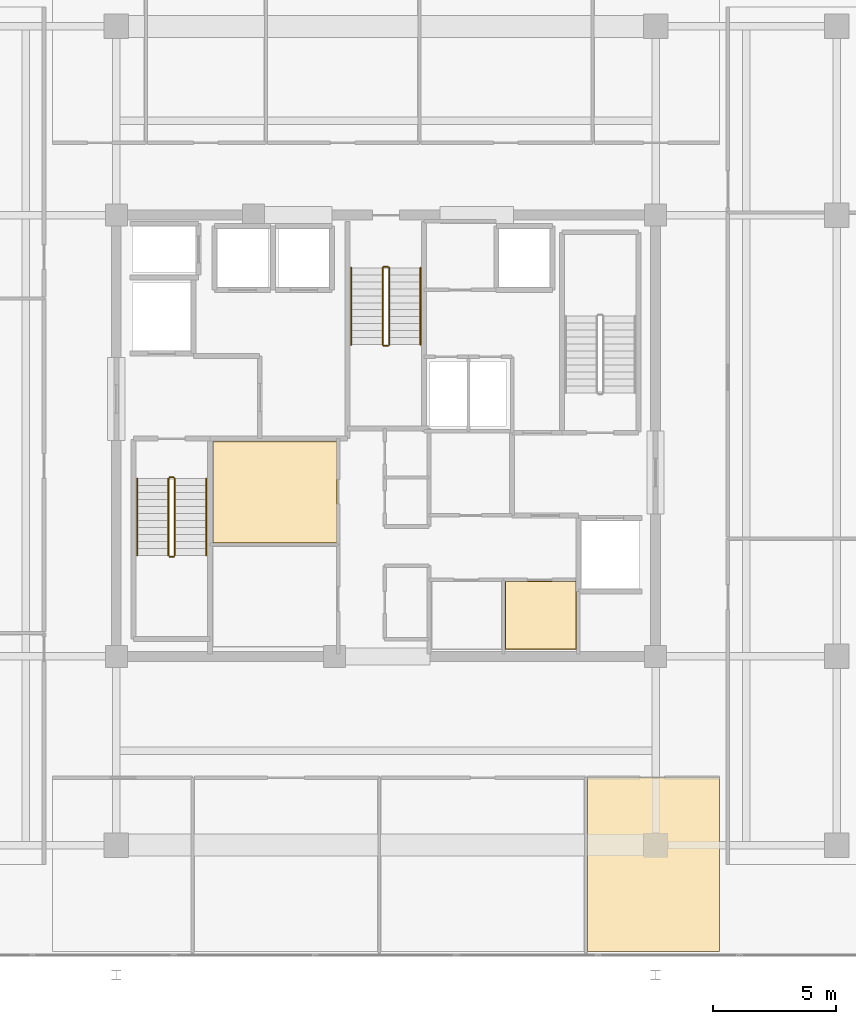
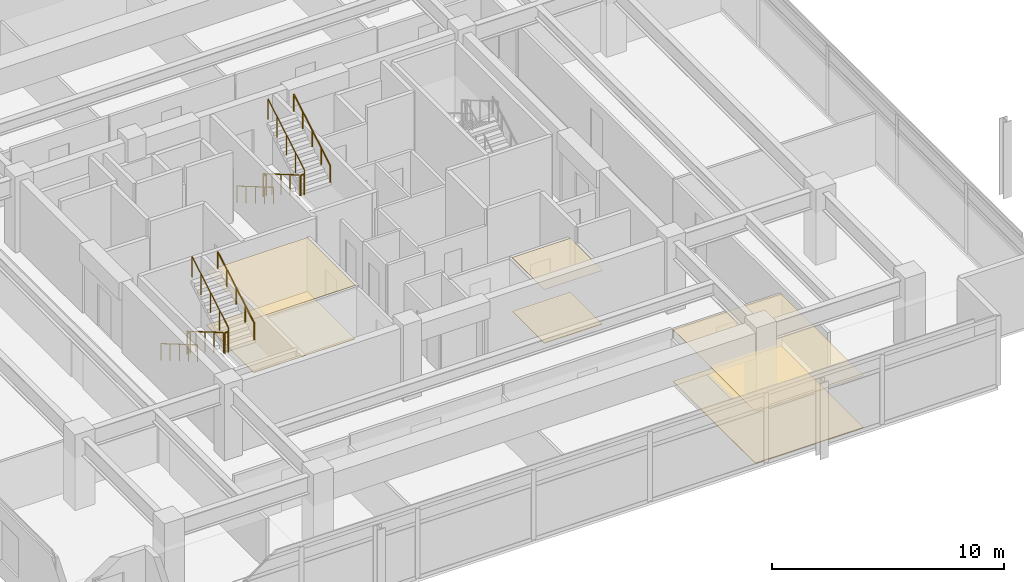
# One storey, part 16 of 18: 12 railings, 6 coverings.
"""IFC4 building model written with IfcOpenShell, lengths in metres."""

from ifc_helpers import new_model, si_unit, direction, frame, origin, origin_2d, place, context, subcontext, project, spatial, polyline, circle, outline, extrude, material, layer, layer_set, type_object, element, save


model = new_model("IFC4")

# Units and contexts
model_context = context("Model", 3, precision=1e-05, world=origin(), true_north=direction((0.0, 1.0)))
body_context = subcontext(model_context, "Body", "Model", "MODEL_VIEW")
ifc_project = project(units=[si_unit("LENGTHUNIT", "METRE"), si_unit("AREAUNIT", "SQUARE_METRE"), si_unit("VOLUMEUNIT", "CUBIC_METRE"), si_unit("PLANEANGLEUNIT", "RADIAN"), si_unit("MASSUNIT", "GRAM", prefix="KILO")], contexts=[model_context])

# Site, building, storey
site_placement = place(None, origin())
site = spatial("IfcSite", under=ifc_project, at=site_placement, CompositionType="ELEMENT")
building_placement = place(site_placement, origin())
building = spatial("IfcBuilding", under=site, at=building_placement, Name="Kovane Verandah Tower", CompositionType="ELEMENT")
storey_placement = place(building_placement, frame((0.0, 0.0, 338.800048828125)))
storey = spatial("IfcBuildingStorey", under=building, at=storey_placement, Name="L79", CompositionType="ELEMENT", Elevation=338.800048828125)

# Coverings
ifc_material_1 = material(Name="Perforated Acoustic Mineral-Fibre Ceiling Tile", Category="gypsum")
ifc_layer_1 = layer(ifc_material_1, 0.02490234375)
ifc_layer_set_1 = layer_set([ifc_layer_1], Name="Perforated Acoustic Mineral-Fibre Ceiling Tile")
covering_type_1 = type_object("IfcCoveringType", Name="CV-CEIL-25", PredefinedType="CEILING", material=ifc_layer_set_1)
covering_1_placement = place(storey_placement, frame((0.0, 0.0, 2.824951171875)))
element("IfcCovering", 1, at=covering_1_placement, inside=storey, type_object=covering_type_1, Name="L79 Telecom MDF Room Acoustic Ceiling", PredefinedType="CEILING", context=body_context, shape_type="SweptSolid", body=[
    extrude(outline(polyline([(32.93505859375, 23.125), (37.9951171875, 23.125), (37.9951171875, 27.264892578125), (32.93505859375, 27.264892578125), (32.93505859375, 23.125)])), origin(), (0.0, 0.0, 1.0), 0.02490234375),
])
covering_2_placement = place(storey_placement, frame((0.0, 0.0, 2.824951171875)))
element("IfcCovering", 2, at=covering_2_placement, inside=storey, type_object=covering_type_1, Name="L79 East IT Server Room Acoustic Ceiling", PredefinedType="CEILING", context=body_context, shape_type="SweptSolid", body=[
    extrude(outline(polyline([(44.864990234375, 18.784912109375), (47.764892578125, 18.784912109375), (47.764892578125, 21.56494140625), (44.864990234375, 21.56494140625), (44.864990234375, 18.784912109375)])), origin(), (0.0, 0.0, 1.0), 0.02490234375),
])
covering_3_placement = place(storey_placement, frame((0.0, 0.0, 2.728271484375)))
element("IfcCovering", 3, at=covering_3_placement, inside=storey, type_object=covering_type_1, Name="L79 Focus Studio S4 Acoustic Ceiling", PredefinedType="CEILING", context=body_context, shape_type="SweptSolid", body=[
    extrude(outline(polyline([(48.22998046875, 6.449951171875), (53.60009765625, 6.449951171875), (53.60009765625, 13.550048828125), (48.22998046875, 13.550048828125), (48.22998046875, 6.449951171875)])), origin(), (0.0, 0.0, 1.0), 0.025146484375),
])
ifc_material_2 = material(Name="Polished Terrazzo and Raised-Access Carpet Tile Finish", Category="concrete")
ifc_layer_2 = layer(ifc_material_2, 0.030029296875)
ifc_layer_set_2 = layer_set([ifc_layer_2], Name="Polished Terrazzo and Raised-Access Carpet Tile Finish")
covering_type_2 = type_object("IfcCoveringType", Name="CV-FLOR-30", PredefinedType="FLOORING", material=ifc_layer_set_2)
covering_4_placement = place(storey_placement, origin())
element("IfcCovering", 4, at=covering_4_placement, inside=storey, type_object=covering_type_2, Name="L79 Telecom MDF Room Floor Finish", PredefinedType="FLOORING", context=body_context, shape_type="SweptSolid", body=[
    extrude(outline(polyline([(32.949951171875, 23.139892578125), (37.97998046875, 23.139892578125), (37.97998046875, 27.25), (32.949951171875, 27.25), (32.949951171875, 23.139892578125)])), origin(), (0.0, 0.0, 1.0), 0.030029296875),
])
covering_5_placement = place(storey_placement, origin())
element("IfcCovering", 5, at=covering_5_placement, inside=storey, type_object=covering_type_2, Name="L79 East IT Server Room Floor Finish", PredefinedType="FLOORING", context=body_context, shape_type="SweptSolid", body=[
    extrude(outline(polyline([(44.8798828125, 18.800048828125), (47.75, 18.800048828125), (47.75, 21.550048828125), (44.8798828125, 21.550048828125), (44.8798828125, 18.800048828125)])), origin(), (0.0, 0.0, 1.0), 0.030029296875),
])
covering_6_placement = place(storey_placement, origin())
element("IfcCovering", 6, at=covering_6_placement, inside=storey, type_object=covering_type_2, Name="L79 Focus Studio S4 Floor Finish", PredefinedType="FLOORING", context=body_context, shape_type="SweptSolid", body=[
    extrude(outline(polyline([(48.22998046875, 6.449951171875), (53.60009765625, 6.449951171875), (53.60009765625, 13.550048828125), (48.22998046875, 13.550048828125), (48.22998046875, 6.449951171875)])), origin(), (0.0, 0.0, 1.0), 0.030029296875),
])

# Railings
ifc_material_3 = material(Name="Brushed Stainless Steel Handrail", Category="steel")
railing_type_1 = type_object("IfcRailingType", Name="RL-HAND-920", PredefinedType="HANDRAIL", material=ifc_material_3)
railing_1_placement = place(storey_placement, frame((29.85009765625, 25.75, 0.16650390625)))
element("IfcRailing", 7, at=railing_1_placement, inside=storey, type_object=railing_type_1, Name="L79 ST-01 stair handrail 1", PredefinedType="HANDRAIL", context=body_context, shape_type="SweptSolid", body=[
    extrude(circle(Radius=0.02392578125, at=origin_2d()), frame((0.0, 0.0, 0.8759765625), z_axis=(0.0, -0.863210265497, 0.504844567704), x_axis=(1.0, 0.0, 0.0)), (0.0, 0.0, 1.0), 3.6318359375),
    extrude(circle(Radius=0.02099609375, at=origin_2d()), origin(), (0.0, 0.0, 1.0), 0.851806640625),
    extrude(circle(Radius=0.02099609375, at=origin_2d()), frame((0.0, -0.78369140625, 0.45849609375)), (0.0, 0.0, 1.0), 0.851806640625),
    extrude(circle(Radius=0.02099609375, at=origin_2d()), frame((0.0, -1.5673828125, 0.916748046875)), (0.0, 0.0, 1.0), 0.851806640625),
    extrude(circle(Radius=0.02099609375, at=origin_2d()), frame((0.0, -2.351318359375, 1.375)), (0.0, 0.0, 1.0), 0.851806640625),
    extrude(circle(Radius=0.02099609375, at=origin_2d()), frame((0.0, -3.135009765625, 1.83349609375)), (0.0, 0.0, 1.0), 0.851806640625),
])
railing_2_placement = place(storey_placement, frame((32.669921875, 22.614990234375, 2.16650390625)))
element("IfcRailing", 8, at=railing_2_placement, inside=storey, type_object=railing_type_1, Name="L79 ST-01 stair handrail 2", PredefinedType="HANDRAIL", context=body_context, shape_type="SweptSolid", body=[
    extrude(circle(Radius=0.02392578125, at=origin_2d()), frame((0.0, 0.0, 0.8759765625), z_axis=(0.0, 0.863210265497, 0.504844567704), x_axis=(-1.0, 0.0, 0.0)), (0.0, 0.0, 1.0), 3.6318359375),
    extrude(circle(Radius=0.02099609375, at=origin_2d()), origin(), (0.0, 0.0, 1.0), 0.851806640625),
    extrude(circle(Radius=0.02099609375, at=origin_2d()), frame((0.0, 0.78369140625, 0.45849609375)), (0.0, 0.0, 1.0), 0.851806640625),
    extrude(circle(Radius=0.02099609375, at=origin_2d()), frame((0.0, 1.5673828125, 0.916748046875)), (0.0, 0.0, 1.0), 0.851806640625),
    extrude(circle(Radius=0.02099609375, at=origin_2d()), frame((0.0, 2.351318359375, 1.375)), (0.0, 0.0, 1.0), 0.851806640625),
    extrude(circle(Radius=0.02099609375, at=origin_2d()), frame((0.0, 3.135009765625, 1.83349609375)), (0.0, 0.0, 1.0), 0.851806640625),
])
railing_3_placement = place(storey_placement, frame((38.590087890625, 34.35009765625, 0.16650390625)))
element("IfcRailing", 9, at=railing_3_placement, inside=storey, type_object=railing_type_1, Name="L79 ST-03 stair handrail 1", PredefinedType="HANDRAIL", context=body_context, shape_type="SweptSolid", body=[
    extrude(circle(Radius=0.02392578125, at=origin_2d()), frame((0.0, 0.0, 0.8759765625), z_axis=(0.0, -0.863210265497, 0.504844567704), x_axis=(1.0, 0.0, 0.0)), (0.0, 0.0, 1.0), 3.6318359375),
    extrude(circle(Radius=0.02099609375, at=origin_2d()), origin(), (0.0, 0.0, 1.0), 0.851806640625),
    extrude(circle(Radius=0.02099609375, at=origin_2d()), frame((0.0, -0.78369140625, 0.45849609375)), (0.0, 0.0, 1.0), 0.851806640625),
    extrude(circle(Radius=0.02099609375, at=origin_2d()), frame((0.0, -1.5673828125, 0.916748046875)), (0.0, 0.0, 1.0), 0.851806640625),
    extrude(circle(Radius=0.02099609375, at=origin_2d()), frame((0.0, -2.351318359375, 1.375)), (0.0, 0.0, 1.0), 0.851806640625),
    extrude(circle(Radius=0.02099609375, at=origin_2d()), frame((0.0, -3.135009765625, 1.83349609375)), (0.0, 0.0, 1.0), 0.851806640625),
])
railing_4_placement = place(storey_placement, frame((41.409912109375, 31.215087890625, 2.16650390625)))
element("IfcRailing", 10, at=railing_4_placement, inside=storey, type_object=railing_type_1, Name="L79 ST-03 stair handrail 2", PredefinedType="HANDRAIL", context=body_context, shape_type="SweptSolid", body=[
    extrude(circle(Radius=0.02392578125, at=origin_2d()), frame((0.0, 0.0, 0.8759765625), z_axis=(0.0, 0.863210265497, 0.504844567704), x_axis=(-1.0, 0.0, 0.0)), (0.0, 0.0, 1.0), 3.6318359375),
    extrude(circle(Radius=0.02099609375, at=origin_2d()), origin(), (0.0, 0.0, 1.0), 0.851806640625),
    extrude(circle(Radius=0.02099609375, at=origin_2d()), frame((0.0, 0.78369140625, 0.45849609375)), (0.0, 0.0, 1.0), 0.851806640625),
    extrude(circle(Radius=0.02099609375, at=origin_2d()), frame((0.0, 1.5673828125, 0.916748046875)), (0.0, 0.0, 1.0), 0.851806640625),
    extrude(circle(Radius=0.02099609375, at=origin_2d()), frame((0.0, 2.351318359375, 1.375)), (0.0, 0.0, 1.0), 0.851806640625),
    extrude(circle(Radius=0.02099609375, at=origin_2d()), frame((0.0, 3.135009765625, 1.83349609375)), (0.0, 0.0, 1.0), 0.851806640625),
])
ifc_material_4 = material(Name="Painted Steel Stairwell Guardrail", Category="steel")
railing_type_2 = type_object("IfcRailingType", Name="RL-STGUARD-1120", PredefinedType="GUARDRAIL", material=ifc_material_4)
railing_5_placement = place(storey_placement, frame((31.1298828125, 25.75, 0.16650390625)))
element("IfcRailing", 11, at=railing_5_placement, inside=storey, type_object=railing_type_2, Name="L79 ST-01 stair guard 1", PredefinedType="GUARDRAIL", context=body_context, shape_type="SweptSolid", body=[
    extrude(circle(Radius=0.02392578125, at=origin_2d()), frame((0.0, 0.0, 1.076171875), z_axis=(0.0, -0.863210265497, 0.504844567704), x_axis=(1.0, 0.0, 0.0)), (0.0, 0.0, 1.0), 3.6318359375),
    extrude(circle(Radius=0.02099609375, at=origin_2d()), origin(), (0.0, 0.0, 1.0), 1.052001953125),
    extrude(circle(Radius=0.02099609375, at=origin_2d()), frame((0.0, -0.78369140625, 0.45849609375)), (0.0, 0.0, 1.0), 1.052001953125),
    extrude(circle(Radius=0.02099609375, at=origin_2d()), frame((0.0, -1.5673828125, 0.916748046875)), (0.0, 0.0, 1.0), 1.052001953125),
    extrude(circle(Radius=0.02099609375, at=origin_2d()), frame((0.0, -2.351318359375, 1.375)), (0.0, 0.0, 1.0), 1.052001953125),
    extrude(circle(Radius=0.02099609375, at=origin_2d()), frame((0.0, -3.135009765625, 1.83349609375)), (0.0, 0.0, 1.0), 1.052001953125),
])
railing_6_placement = place(storey_placement, frame((31.179931640625, 22.56494140625, 2.0)))
element("IfcRailing", 12, at=railing_6_placement, inside=storey, type_object=railing_type_2, Name="L79 ST-01 stair guard 2", PredefinedType="GUARDRAIL", context=body_context, shape_type="SweptSolid", body=[
    extrude(circle(Radius=0.02392578125, at=origin_2d()), frame((0.0, 0.0, 1.076171875), z_axis=(1.0, 0.0, 0.0), x_axis=(0.0, 1.0, 0.0)), (0.0, 0.0, 1.0), 0.16015625),
    extrude(circle(Radius=0.02099609375, at=origin_2d()), origin(), (0.0, 0.0, 1.0), 1.052001953125),
    extrude(circle(Radius=0.02099609375, at=origin_2d()), frame((0.16015625, 0.0, 0.0)), (0.0, 0.0, 1.0), 1.052001953125),
])
railing_7_placement = place(storey_placement, frame((31.389892578125, 22.614990234375, 2.16650390625)))
element("IfcRailing", 13, at=railing_7_placement, inside=storey, type_object=railing_type_2, Name="L79 ST-01 stair guard 3", PredefinedType="GUARDRAIL", context=body_context, shape_type="SweptSolid", body=[
    extrude(circle(Radius=0.02392578125, at=origin_2d()), frame((0.0, 0.0, 1.076171875), z_axis=(0.0, 0.863210265497, 0.504844567704), x_axis=(-1.0, 0.0, 0.0)), (0.0, 0.0, 1.0), 3.6318359375),
    extrude(circle(Radius=0.02099609375, at=origin_2d()), origin(), (0.0, 0.0, 1.0), 1.052001953125),
    extrude(circle(Radius=0.02099609375, at=origin_2d()), frame((0.0, 0.78369140625, 0.45849609375)), (0.0, 0.0, 1.0), 1.052001953125),
    extrude(circle(Radius=0.02099609375, at=origin_2d()), frame((0.0, 1.5673828125, 0.916748046875)), (0.0, 0.0, 1.0), 1.052001953125),
    extrude(circle(Radius=0.02099609375, at=origin_2d()), frame((0.0, 2.351318359375, 1.375)), (0.0, 0.0, 1.0), 1.052001953125),
    extrude(circle(Radius=0.02099609375, at=origin_2d()), frame((0.0, 3.135009765625, 1.83349609375)), (0.0, 0.0, 1.0), 1.052001953125),
])
railing_8_placement = place(storey_placement, frame((31.179931640625, 25.800048828125, 0.0)))
element("IfcRailing", 14, at=railing_8_placement, inside=storey, type_object=railing_type_2, Name="L79 ST-01 stair guard 4", PredefinedType="GUARDRAIL", context=body_context, shape_type="SweptSolid", body=[
    extrude(circle(Radius=0.02392578125, at=origin_2d()), frame((0.0, 0.0, 1.076171875), z_axis=(1.0, 0.0, 0.0), x_axis=(0.0, 1.0, 0.0)), (0.0, 0.0, 1.0), 0.16015625),
    extrude(circle(Radius=0.02099609375, at=origin_2d()), origin(), (0.0, 0.0, 1.0), 1.052001953125),
    extrude(circle(Radius=0.02099609375, at=origin_2d()), frame((0.16015625, 0.0, 0.0)), (0.0, 0.0, 1.0), 1.052001953125),
])
railing_9_placement = place(storey_placement, frame((39.8701171875, 34.35009765625, 0.16650390625)))
element("IfcRailing", 15, at=railing_9_placement, inside=storey, type_object=railing_type_2, Name="L79 ST-03 stair guard 1", PredefinedType="GUARDRAIL", context=body_context, shape_type="SweptSolid", body=[
    extrude(circle(Radius=0.02392578125, at=origin_2d()), frame((0.0, 0.0, 1.076171875), z_axis=(0.0, -0.863210265497, 0.504844567704), x_axis=(1.0, 0.0, 0.0)), (0.0, 0.0, 1.0), 3.6318359375),
    extrude(circle(Radius=0.02099609375, at=origin_2d()), origin(), (0.0, 0.0, 1.0), 1.052001953125),
    extrude(circle(Radius=0.02099609375, at=origin_2d()), frame((0.0, -0.78369140625, 0.45849609375)), (0.0, 0.0, 1.0), 1.052001953125),
    extrude(circle(Radius=0.02099609375, at=origin_2d()), frame((0.0, -1.5673828125, 0.916748046875)), (0.0, 0.0, 1.0), 1.052001953125),
    extrude(circle(Radius=0.02099609375, at=origin_2d()), frame((0.0, -2.351318359375, 1.375)), (0.0, 0.0, 1.0), 1.052001953125),
    extrude(circle(Radius=0.02099609375, at=origin_2d()), frame((0.0, -3.135009765625, 1.83349609375)), (0.0, 0.0, 1.0), 1.052001953125),
])
railing_10_placement = place(storey_placement, frame((39.919921875, 31.1650390625, 2.0)))
element("IfcRailing", 16, at=railing_10_placement, inside=storey, type_object=railing_type_2, Name="L79 ST-03 stair guard 2", PredefinedType="GUARDRAIL", context=body_context, shape_type="SweptSolid", body=[
    extrude(circle(Radius=0.02392578125, at=origin_2d()), frame((0.0, 0.0, 1.076171875), z_axis=(1.0, 0.0, 0.0), x_axis=(0.0, 1.0, 0.0)), (0.0, 0.0, 1.0), 0.16015625),
    extrude(circle(Radius=0.02099609375, at=origin_2d()), origin(), (0.0, 0.0, 1.0), 1.052001953125),
    extrude(circle(Radius=0.02099609375, at=origin_2d()), frame((0.16015625, 0.0, 0.0)), (0.0, 0.0, 1.0), 1.052001953125),
])
railing_11_placement = place(storey_placement, frame((40.1298828125, 31.215087890625, 2.16650390625)))
element("IfcRailing", 17, at=railing_11_placement, inside=storey, type_object=railing_type_2, Name="L79 ST-03 stair guard 3", PredefinedType="GUARDRAIL", context=body_context, shape_type="SweptSolid", body=[
    extrude(circle(Radius=0.02392578125, at=origin_2d()), frame((0.0, 0.0, 1.076171875), z_axis=(0.0, 0.863210265497, 0.504844567704), x_axis=(-1.0, 0.0, 0.0)), (0.0, 0.0, 1.0), 3.6318359375),
    extrude(circle(Radius=0.02099609375, at=origin_2d()), origin(), (0.0, 0.0, 1.0), 1.052001953125),
    extrude(circle(Radius=0.02099609375, at=origin_2d()), frame((0.0, 0.78369140625, 0.45849609375)), (0.0, 0.0, 1.0), 1.052001953125),
    extrude(circle(Radius=0.02099609375, at=origin_2d()), frame((0.0, 1.5673828125, 0.916748046875)), (0.0, 0.0, 1.0), 1.052001953125),
    extrude(circle(Radius=0.02099609375, at=origin_2d()), frame((0.0, 2.351318359375, 1.375)), (0.0, 0.0, 1.0), 1.052001953125),
    extrude(circle(Radius=0.02099609375, at=origin_2d()), frame((0.0, 3.135009765625, 1.83349609375)), (0.0, 0.0, 1.0), 1.052001953125),
])
railing_12_placement = place(storey_placement, frame((39.919921875, 34.39990234375, 0.0)))
element("IfcRailing", 18, at=railing_12_placement, inside=storey, type_object=railing_type_2, Name="L79 ST-03 stair guard 4", PredefinedType="GUARDRAIL", context=body_context, shape_type="SweptSolid", body=[
    extrude(circle(Radius=0.02392578125, at=origin_2d()), frame((0.0, 0.0, 1.076171875), z_axis=(1.0, 0.0, 0.0), x_axis=(0.0, 1.0, 0.0)), (0.0, 0.0, 1.0), 0.16015625),
    extrude(circle(Radius=0.02099609375, at=origin_2d()), origin(), (0.0, 0.0, 1.0), 1.052001953125),
    extrude(circle(Radius=0.02099609375, at=origin_2d()), frame((0.16015625, 0.0, 0.0)), (0.0, 0.0, 1.0), 1.052001953125),
])

save(model, "model.ifc")
